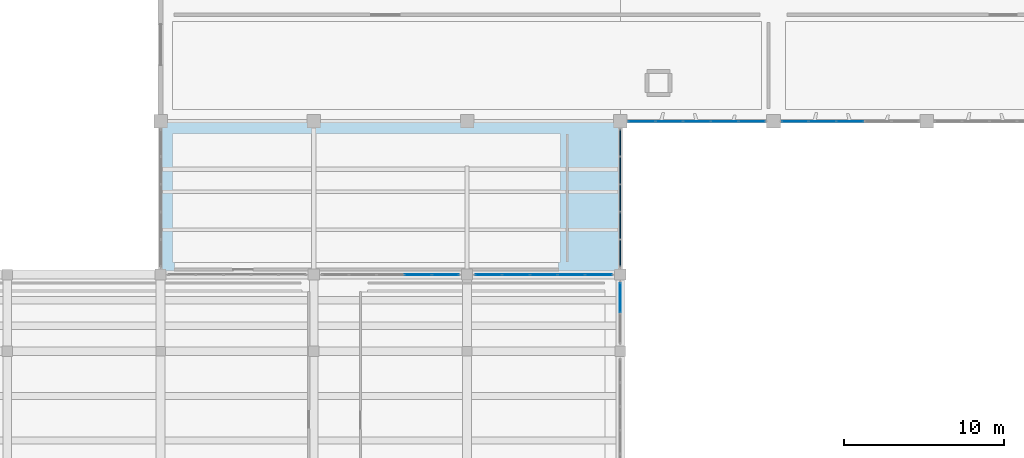
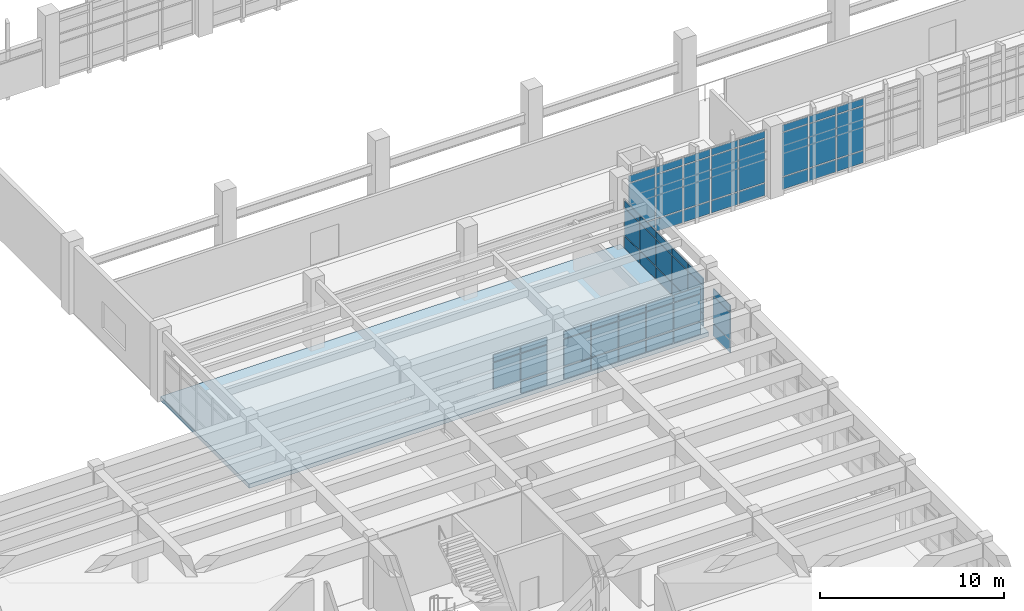
# One storey, part 50 of 86: 62 plates, 1 slab, 6 elements without a shape of their own.
"""IFC4 building model written with IfcOpenShell, lengths in metres."""

from ifc_helpers import new_model, si_unit, direction, frame, origin, origin_2d, place, context, subcontext, project, spatial, polyline, rectangle, outline, extrude, material, layer, layer_set, type_object, element, aggregate, save


model = new_model("IFC4")

# Units and contexts
model_context = context("Model", 3, precision=1e-05, world=origin(), true_north=direction((0.0, 1.0)))
body_context = subcontext(model_context, "Body", "Model", "MODEL_VIEW")
ifc_project = project(units=[si_unit("LENGTHUNIT", "METRE"), si_unit("AREAUNIT", "SQUARE_METRE"), si_unit("VOLUMEUNIT", "CUBIC_METRE"), si_unit("PLANEANGLEUNIT", "RADIAN"), si_unit("MASSUNIT", "GRAM", prefix="KILO")], contexts=[model_context])

# Site, building, storey
site_placement = place(None, origin())
site = spatial("IfcSite", under=ifc_project, at=site_placement, CompositionType="ELEMENT")
building_placement = place(site_placement, origin())
building = spatial("IfcBuilding", under=site, at=building_placement, Name="Kolvemor Railside Polytechnic", CompositionType="ELEMENT")
storey_placement = place(building_placement, frame((0.0, 0.0, 5.39990234375)))
storey = spatial("IfcBuildingStorey", under=building, at=storey_placement, Name="L01", CompositionType="ELEMENT", Elevation=5.39990234375)

# Curtain wall, plates
ifc_material_1 = material(Name="Anodised marine aluminium and laminated low-E glass", Category="aluminium")
ifc_layer_1 = layer(ifc_material_1, 0.179931640625, Name="CW-UNIT-WKS")
ifc_layer_set_1 = layer_set([ifc_layer_1], Name="Anodised marine aluminium and laminated low-E glass")
curtain_wall_type_1 = type_object("IfcCurtainWallType", Name="CW-UNIT-WKS", PredefinedType="USERDEFINED", material=ifc_layer_set_1)
curtain_wall_1_placement = place(storey_placement, origin())
curtain_wall_1 = element("IfcCurtainWall", 1, at=curtain_wall_1_placement, inside=storey, type_object=curtain_wall_type_1, Name="Curtain Wall L01-006", ObjectType="UNITISED CURTAIN WALL", PredefinedType="USERDEFINED")
ifc_material_2 = material(Name="Hurricane-laminated solar-control low-E glass", Category="glass")
ifc_layer_2 = layer(ifc_material_2, 0.030029296875, Name="CWP-GLZ-05")
ifc_layer_set_2 = layer_set([ifc_layer_2], Name="Hurricane-laminated solar-control low-E glass")
plate_type_1 = type_object("IfcPlateType", Name="CWP-GLZ-05", PredefinedType="CURTAIN_PANEL", material=ifc_layer_set_2)
plate_1_placement = place(storey_placement, frame((49.352294921875, 91.199951171875, 0.06494140625), z_axis=(0.0, 0.0, 1.0), x_axis=(1.0, 0.0, 0.0)))
plate_1 = element("IfcPlate", 2, at=plate_1_placement, type_object=plate_type_1, Name="CW-WKS panel 1.1", PredefinedType="CURTAIN_PANEL", context=body_context, shape_type="SweptSolid", body=[
    extrude(rectangle(XDim=1.634521484375, YDim=0.030029296875, at=origin_2d()), origin(), (0.0, 0.0, 1.0), 0.802490234375),
])
plate_2_placement = place(storey_placement, frame((49.352294921875, 91.199951171875, 0.9326171875), z_axis=(0.0, 0.0, 1.0), x_axis=(1.0, 0.0, 0.0)))
plate_2 = element("IfcPlate", 3, at=plate_2_placement, type_object=plate_type_1, Name="CW-WKS panel 1.2", PredefinedType="CURTAIN_PANEL", context=body_context, shape_type="SweptSolid", body=[
    extrude(rectangle(XDim=1.634521484375, YDim=0.030029296875, at=origin_2d()), origin(), (0.0, 0.0, 1.0), 2.885009765625),
])
plate_3_placement = place(storey_placement, frame((49.352294921875, 91.199951171875, 3.8828125), z_axis=(0.0, 0.0, 1.0), x_axis=(1.0, 0.0, 0.0)))
plate_3 = element("IfcPlate", 4, at=plate_3_placement, type_object=plate_type_1, Name="CW-WKS panel 1.3", PredefinedType="CURTAIN_PANEL", context=body_context, shape_type="SweptSolid", body=[
    extrude(rectangle(XDim=1.634521484375, YDim=0.030029296875, at=origin_2d()), origin(), (0.0, 0.0, 1.0), 0.452392578125),
])
plate_4_placement = place(storey_placement, frame((51.068115234375, 91.199951171875, 0.06494140625), z_axis=(0.0, 0.0, 1.0), x_axis=(1.0, 0.0, 0.0)))
plate_4 = element("IfcPlate", 5, at=plate_4_placement, type_object=plate_type_1, Name="CW-WKS panel 2.1", PredefinedType="CURTAIN_PANEL", context=body_context, shape_type="SweptSolid", body=[
    extrude(rectangle(XDim=1.6669921875, YDim=0.030029296875, at=origin_2d()), origin(), (0.0, 0.0, 1.0), 0.802490234375),
])
plate_5_placement = place(storey_placement, frame((51.068115234375, 91.199951171875, 0.9326171875), z_axis=(0.0, 0.0, 1.0), x_axis=(1.0, 0.0, 0.0)))
plate_5 = element("IfcPlate", 6, at=plate_5_placement, type_object=plate_type_1, Name="CW-WKS panel 2.2", PredefinedType="CURTAIN_PANEL", context=body_context, shape_type="SweptSolid", body=[
    extrude(rectangle(XDim=1.6669921875, YDim=0.030029296875, at=origin_2d()), origin(), (0.0, 0.0, 1.0), 2.885009765625),
])
plate_6_placement = place(storey_placement, frame((51.068115234375, 91.199951171875, 3.8828125), z_axis=(0.0, 0.0, 1.0), x_axis=(1.0, 0.0, 0.0)))
plate_6 = element("IfcPlate", 7, at=plate_6_placement, type_object=plate_type_1, Name="CW-WKS panel 2.3", PredefinedType="CURTAIN_PANEL", context=body_context, shape_type="SweptSolid", body=[
    extrude(rectangle(XDim=1.6669921875, YDim=0.030029296875, at=origin_2d()), origin(), (0.0, 0.0, 1.0), 0.452392578125),
])
plate_7_placement = place(storey_placement, frame((52.800048828125, 91.199951171875, 0.06494140625), z_axis=(0.0, 0.0, 1.0), x_axis=(1.0, 0.0, 0.0)))
plate_7 = element("IfcPlate", 8, at=plate_7_placement, type_object=plate_type_1, Name="CW-WKS panel 3.1", PredefinedType="CURTAIN_PANEL", context=body_context, shape_type="SweptSolid", body=[
    extrude(rectangle(XDim=1.6669921875, YDim=0.030029296875, at=origin_2d()), origin(), (0.0, 0.0, 1.0), 0.802490234375),
])
plate_8_placement = place(storey_placement, frame((52.800048828125, 91.199951171875, 0.9326171875), z_axis=(0.0, 0.0, 1.0), x_axis=(1.0, 0.0, 0.0)))
plate_8 = element("IfcPlate", 9, at=plate_8_placement, type_object=plate_type_1, Name="CW-WKS panel 3.2", PredefinedType="CURTAIN_PANEL", context=body_context, shape_type="SweptSolid", body=[
    extrude(rectangle(XDim=1.6669921875, YDim=0.030029296875, at=origin_2d()), origin(), (0.0, 0.0, 1.0), 2.885009765625),
])
plate_9_placement = place(storey_placement, frame((52.800048828125, 91.199951171875, 3.8828125), z_axis=(0.0, 0.0, 1.0), x_axis=(1.0, 0.0, 0.0)))
plate_9 = element("IfcPlate", 10, at=plate_9_placement, type_object=plate_type_1, Name="CW-WKS panel 3.3", PredefinedType="CURTAIN_PANEL", context=body_context, shape_type="SweptSolid", body=[
    extrude(rectangle(XDim=1.6669921875, YDim=0.030029296875, at=origin_2d()), origin(), (0.0, 0.0, 1.0), 0.452392578125),
])
plate_10_placement = place(storey_placement, frame((54.531982421875, 91.199951171875, 0.06494140625), z_axis=(0.0, 0.0, 1.0), x_axis=(1.0, 0.0, 0.0)))
plate_10 = element("IfcPlate", 11, at=plate_10_placement, type_object=plate_type_1, Name="CW-WKS panel 4.1", PredefinedType="CURTAIN_PANEL", context=body_context, shape_type="SweptSolid", body=[
    extrude(rectangle(XDim=1.6669921875, YDim=0.030029296875, at=origin_2d()), origin(), (0.0, 0.0, 1.0), 0.802490234375),
])
plate_11_placement = place(storey_placement, frame((54.531982421875, 91.199951171875, 0.9326171875), z_axis=(0.0, 0.0, 1.0), x_axis=(1.0, 0.0, 0.0)))
plate_11 = element("IfcPlate", 12, at=plate_11_placement, type_object=plate_type_1, Name="CW-WKS panel 4.2", PredefinedType="CURTAIN_PANEL", context=body_context, shape_type="SweptSolid", body=[
    extrude(rectangle(XDim=1.6669921875, YDim=0.030029296875, at=origin_2d()), origin(), (0.0, 0.0, 1.0), 2.885009765625),
])
plate_12_placement = place(storey_placement, frame((54.531982421875, 91.199951171875, 3.8828125), z_axis=(0.0, 0.0, 1.0), x_axis=(1.0, 0.0, 0.0)))
plate_12 = element("IfcPlate", 13, at=plate_12_placement, type_object=plate_type_1, Name="CW-WKS panel 4.3", PredefinedType="CURTAIN_PANEL", context=body_context, shape_type="SweptSolid", body=[
    extrude(rectangle(XDim=1.6669921875, YDim=0.030029296875, at=origin_2d()), origin(), (0.0, 0.0, 1.0), 0.452392578125),
])
plate_13_placement = place(storey_placement, frame((56.247802734375, 91.199951171875, 0.06494140625), z_axis=(0.0, 0.0, 1.0), x_axis=(1.0, 0.0, 0.0)))
plate_13 = element("IfcPlate", 14, at=plate_13_placement, type_object=plate_type_1, Name="CW-WKS panel 5.1", PredefinedType="CURTAIN_PANEL", context=body_context, shape_type="SweptSolid", body=[
    extrude(rectangle(XDim=1.634521484375, YDim=0.030029296875, at=origin_2d()), origin(), (0.0, 0.0, 1.0), 0.802490234375),
])
plate_14_placement = place(storey_placement, frame((56.247802734375, 91.199951171875, 0.9326171875), z_axis=(0.0, 0.0, 1.0), x_axis=(1.0, 0.0, 0.0)))
plate_14 = element("IfcPlate", 15, at=plate_14_placement, type_object=plate_type_1, Name="CW-WKS panel 5.2", PredefinedType="CURTAIN_PANEL", context=body_context, shape_type="SweptSolid", body=[
    extrude(rectangle(XDim=1.634521484375, YDim=0.030029296875, at=origin_2d()), origin(), (0.0, 0.0, 1.0), 2.885009765625),
])
plate_15_placement = place(storey_placement, frame((56.247802734375, 91.199951171875, 3.8828125), z_axis=(0.0, 0.0, 1.0), x_axis=(1.0, 0.0, 0.0)))
plate_15 = element("IfcPlate", 16, at=plate_15_placement, type_object=plate_type_1, Name="CW-WKS panel 5.3", PredefinedType="CURTAIN_PANEL", context=body_context, shape_type="SweptSolid", body=[
    extrude(rectangle(XDim=1.634521484375, YDim=0.030029296875, at=origin_2d()), origin(), (0.0, 0.0, 1.0), 0.452392578125),
])
aggregate(curtain_wall_1, [plate_1, plate_2, plate_3, plate_4, plate_5, plate_6, plate_7, plate_8, plate_9, plate_10, plate_11, plate_12, plate_13, plate_14, plate_15])

curtain_wall_2_placement = place(storey_placement, origin())
curtain_wall_2 = element("IfcCurtainWall", 17, at=curtain_wall_2_placement, inside=storey, type_object=curtain_wall_type_1, Name="Curtain Wall L01-009", ObjectType="UNITISED CURTAIN WALL", PredefinedType="USERDEFINED")
ifc_material_3 = material(Name="Hurricane-laminated solar-control low-E glass", Category="glass")
ifc_layer_3 = layer(ifc_material_3, 0.031982421875, Name="CWP-GLZ-06")
ifc_layer_set_3 = layer_set([ifc_layer_3], Name="Hurricane-laminated solar-control low-E glass")
plate_type_2 = type_object("IfcPlateType", Name="CWP-GLZ-06", PredefinedType="CURTAIN_PANEL", material=ifc_layer_set_3)
plate_16_placement = place(storey_placement, frame((58.9521484375, 91.199951171875, 0.06494140625), z_axis=(0.0, 0.0, 1.0), x_axis=(1.0, 0.0, 0.0)))
plate_16 = element("IfcPlate", 18, at=plate_16_placement, type_object=plate_type_2, Name="CW-WKS panel 1.1", PredefinedType="CURTAIN_PANEL", context=body_context, shape_type="SweptSolid", body=[
    extrude(rectangle(XDim=1.634521484375, YDim=0.031982421875, at=origin_2d()), origin(), (0.0, 0.0, 1.0), 0.802490234375),
])
plate_17_placement = place(storey_placement, frame((58.9521484375, 91.199951171875, 0.9326171875), z_axis=(0.0, 0.0, 1.0), x_axis=(1.0, 0.0, 0.0)))
plate_17 = element("IfcPlate", 19, at=plate_17_placement, type_object=plate_type_2, Name="CW-WKS panel 1.2", PredefinedType="CURTAIN_PANEL", context=body_context, shape_type="SweptSolid", body=[
    extrude(rectangle(XDim=1.634521484375, YDim=0.031982421875, at=origin_2d()), origin(), (0.0, 0.0, 1.0), 2.885009765625),
])
plate_18_placement = place(storey_placement, frame((58.9521484375, 91.199951171875, 3.8828125), z_axis=(0.0, 0.0, 1.0), x_axis=(1.0, 0.0, 0.0)))
plate_18 = element("IfcPlate", 20, at=plate_18_placement, type_object=plate_type_2, Name="CW-WKS panel 1.3", PredefinedType="CURTAIN_PANEL", context=body_context, shape_type="SweptSolid", body=[
    extrude(rectangle(XDim=1.634521484375, YDim=0.031982421875, at=origin_2d()), origin(), (0.0, 0.0, 1.0), 0.452392578125),
])
plate_19_placement = place(storey_placement, frame((60.66796875, 91.199951171875, 0.06494140625), z_axis=(0.0, 0.0, 1.0), x_axis=(1.0, 0.0, 0.0)))
plate_19 = element("IfcPlate", 21, at=plate_19_placement, type_object=plate_type_2, Name="CW-WKS panel 2.1", PredefinedType="CURTAIN_PANEL", context=body_context, shape_type="SweptSolid", body=[
    extrude(rectangle(XDim=1.6669921875, YDim=0.031982421875, at=origin_2d()), origin(), (0.0, 0.0, 1.0), 0.802490234375),
])
plate_20_placement = place(storey_placement, frame((60.66796875, 91.199951171875, 0.9326171875), z_axis=(0.0, 0.0, 1.0), x_axis=(1.0, 0.0, 0.0)))
plate_20 = element("IfcPlate", 22, at=plate_20_placement, type_object=plate_type_2, Name="CW-WKS panel 2.2", PredefinedType="CURTAIN_PANEL", context=body_context, shape_type="SweptSolid", body=[
    extrude(rectangle(XDim=1.6669921875, YDim=0.031982421875, at=origin_2d()), origin(), (0.0, 0.0, 1.0), 2.885009765625),
])
plate_21_placement = place(storey_placement, frame((60.66796875, 91.199951171875, 3.8828125), z_axis=(0.0, 0.0, 1.0), x_axis=(1.0, 0.0, 0.0)))
plate_21 = element("IfcPlate", 23, at=plate_21_placement, type_object=plate_type_2, Name="CW-WKS panel 2.3", PredefinedType="CURTAIN_PANEL", context=body_context, shape_type="SweptSolid", body=[
    extrude(rectangle(XDim=1.6669921875, YDim=0.031982421875, at=origin_2d()), origin(), (0.0, 0.0, 1.0), 0.452392578125),
])
plate_22_placement = place(storey_placement, frame((62.39990234375, 91.199951171875, 0.06494140625), z_axis=(0.0, 0.0, 1.0), x_axis=(1.0, 0.0, 0.0)))
plate_22 = element("IfcPlate", 24, at=plate_22_placement, type_object=plate_type_2, Name="CW-WKS panel 3.1", PredefinedType="CURTAIN_PANEL", context=body_context, shape_type="SweptSolid", body=[
    extrude(rectangle(XDim=1.6669921875, YDim=0.031982421875, at=origin_2d()), origin(), (0.0, 0.0, 1.0), 0.802490234375),
])
plate_23_placement = place(storey_placement, frame((62.39990234375, 91.199951171875, 0.9326171875), z_axis=(0.0, 0.0, 1.0), x_axis=(1.0, 0.0, 0.0)))
plate_23 = element("IfcPlate", 25, at=plate_23_placement, type_object=plate_type_2, Name="CW-WKS panel 3.2", PredefinedType="CURTAIN_PANEL", context=body_context, shape_type="SweptSolid", body=[
    extrude(rectangle(XDim=1.6669921875, YDim=0.031982421875, at=origin_2d()), origin(), (0.0, 0.0, 1.0), 2.885009765625),
])
plate_24_placement = place(storey_placement, frame((62.39990234375, 91.199951171875, 3.8828125), z_axis=(0.0, 0.0, 1.0), x_axis=(1.0, 0.0, 0.0)))
plate_24 = element("IfcPlate", 26, at=plate_24_placement, type_object=plate_type_2, Name="CW-WKS panel 3.3", PredefinedType="CURTAIN_PANEL", context=body_context, shape_type="SweptSolid", body=[
    extrude(rectangle(XDim=1.6669921875, YDim=0.031982421875, at=origin_2d()), origin(), (0.0, 0.0, 1.0), 0.452392578125),
])
aggregate(curtain_wall_2, [plate_16, plate_17, plate_18, plate_19, plate_20, plate_21, plate_22, plate_23, plate_24])

ifc_material_4 = material(Name="Anodised marine aluminium and laminated low-E glass", Category="aluminium")
ifc_layer_4 = layer(ifc_material_4, 0.179931640625, Name="CW-UNIT-STD")
ifc_layer_set_4 = layer_set([ifc_layer_4], Name="Anodised marine aluminium and laminated low-E glass")
curtain_wall_type_2 = type_object("IfcCurtainWallType", Name="CW-UNIT-STD", PredefinedType="USERDEFINED", material=ifc_layer_set_4)
curtain_wall_3_placement = place(storey_placement, origin())
curtain_wall_3 = element("IfcCurtainWall", 27, at=curtain_wall_3_placement, inside=storey, type_object=curtain_wall_type_2, Name="Curtain Wall L01-090", ObjectType="UNITISED CURTAIN WALL", PredefinedType="USERDEFINED")
ifc_material_5 = material(Name="Hurricane-laminated solar-control low-E glass", Category="glass")
ifc_layer_5 = layer(ifc_material_5, 0.0439453125, Name="CWP-GLZ-12")
ifc_layer_set_5 = layer_set([ifc_layer_5], Name="Hurricane-laminated solar-control low-E glass")
plate_type_3 = type_object("IfcPlateType", Name="CWP-GLZ-12", PredefinedType="CURTAIN_PANEL", material=ifc_layer_set_5)
plate_25_placement = place(storey_placement, frame((48.0, 80.148681640625, 0.06494140625), z_axis=(0.0, 0.0, 1.0), x_axis=(0.0, 1.0, 0.0)))
plate_25 = element("IfcPlate", 28, at=plate_25_placement, type_object=plate_type_3, Name="CW-STD panel 2.1", PredefinedType="CURTAIN_PANEL", context=body_context, shape_type="SweptSolid", body=[
    extrude(rectangle(XDim=1.83251953125, YDim=0.0439453125, at=origin_2d()), origin(), (0.0, 0.0, 1.0), 0.802490234375),
])
plate_26_placement = place(storey_placement, frame((48.0, 80.148681640625, 0.9326171875), z_axis=(0.0, 0.0, 1.0), x_axis=(0.0, 1.0, 0.0)))
plate_26 = element("IfcPlate", 29, at=plate_26_placement, type_object=plate_type_3, Name="CW-STD panel 2.2", PredefinedType="CURTAIN_PANEL", context=body_context, shape_type="SweptSolid", body=[
    extrude(rectangle(XDim=1.83251953125, YDim=0.0439453125, at=origin_2d()), origin(), (0.0, 0.0, 1.0), 1.764892578125),
])
plate_27_placement = place(storey_placement, frame((48.0, 80.148681640625, 2.7626953125), z_axis=(0.0, 0.0, 1.0), x_axis=(0.0, 1.0, 0.0)))
plate_27 = element("IfcPlate", 30, at=plate_27_placement, type_object=plate_type_3, Name="CW-STD panel 2.3", PredefinedType="CURTAIN_PANEL", context=body_context, shape_type="SweptSolid", body=[
    extrude(rectangle(XDim=1.83251953125, YDim=0.0439453125, at=origin_2d()), origin(), (0.0, 0.0, 1.0), 0.452392578125),
])
aggregate(curtain_wall_3, [plate_25, plate_26, plate_27])

curtain_wall_4_placement = place(storey_placement, origin())
curtain_wall_4 = element("IfcCurtainWall", 31, at=curtain_wall_4_placement, inside=storey, type_object=curtain_wall_type_2, Name="Curtain Wall L01-037", ObjectType="UNITISED CURTAIN WALL", PredefinedType="USERDEFINED")
ifc_material_6 = material(Name="Hurricane-laminated solar-control low-E glass", Category="glass")
ifc_layer_6 = layer(ifc_material_6, 0.0458984375, Name="CWP-GLZ-13")
ifc_layer_set_6 = layer_set([ifc_layer_6], Name="Hurricane-laminated solar-control low-E glass")
plate_type_4 = type_object("IfcPlateType", Name="CWP-GLZ-13", PredefinedType="CURTAIN_PANEL", material=ifc_layer_set_6)
plate_28_placement = place(storey_placement, frame((37.0478515625, 81.60009765625, 0.06494140625), z_axis=(0.0, 0.0, 1.0), x_axis=(-1.0, 0.0, 0.0)))
plate_28 = element("IfcPlate", 32, at=plate_28_placement, type_object=plate_type_4, Name="CW-STD panel 1.1", PredefinedType="CURTAIN_PANEL", context=body_context, shape_type="SweptSolid", body=[
    extrude(rectangle(XDim=1.634521484375, YDim=0.0458984375, at=origin_2d()), origin(), (0.0, 0.0, 1.0), 0.802490234375),
])
plate_29_placement = place(storey_placement, frame((37.0478515625, 81.60009765625, 0.9326171875), z_axis=(0.0, 0.0, 1.0), x_axis=(-1.0, 0.0, 0.0)))
plate_29 = element("IfcPlate", 33, at=plate_29_placement, type_object=plate_type_4, Name="CW-STD panel 1.2", PredefinedType="CURTAIN_PANEL", context=body_context, shape_type="SweptSolid", body=[
    extrude(rectangle(XDim=1.634521484375, YDim=0.0458984375, at=origin_2d()), origin(), (0.0, 0.0, 1.0), 1.764892578125),
])
plate_30_placement = place(storey_placement, frame((37.0478515625, 81.60009765625, 2.7626953125), z_axis=(0.0, 0.0, 1.0), x_axis=(-1.0, 0.0, 0.0)))
plate_30 = element("IfcPlate", 34, at=plate_30_placement, type_object=plate_type_4, Name="CW-STD panel 1.3", PredefinedType="CURTAIN_PANEL", context=body_context, shape_type="SweptSolid", body=[
    extrude(rectangle(XDim=1.634521484375, YDim=0.0458984375, at=origin_2d()), origin(), (0.0, 0.0, 1.0), 0.452392578125),
])
plate_31_placement = place(storey_placement, frame((35.33203125, 81.60009765625, 0.9326171875), z_axis=(0.0, 0.0, 1.0), x_axis=(-1.0, 0.0, 0.0)))
plate_31 = element("IfcPlate", 35, at=plate_31_placement, type_object=plate_type_4, Name="CW-STD panel 2.2", PredefinedType="CURTAIN_PANEL", context=body_context, shape_type="SweptSolid", body=[
    extrude(rectangle(XDim=1.6669921875, YDim=0.0458984375, at=origin_2d()), origin(), (0.0, 0.0, 1.0), 1.764892578125),
])
plate_32_placement = place(storey_placement, frame((35.33203125, 81.60009765625, 2.7626953125), z_axis=(0.0, 0.0, 1.0), x_axis=(-1.0, 0.0, 0.0)))
plate_32 = element("IfcPlate", 36, at=plate_32_placement, type_object=plate_type_4, Name="CW-STD panel 2.3", PredefinedType="CURTAIN_PANEL", context=body_context, shape_type="SweptSolid", body=[
    extrude(rectangle(XDim=1.6669921875, YDim=0.0458984375, at=origin_2d()), origin(), (0.0, 0.0, 1.0), 0.452392578125),
])
aggregate(curtain_wall_4, [plate_28, plate_29, plate_30, plate_31, plate_32])

curtain_wall_5_placement = place(storey_placement, origin())
curtain_wall_5 = element("IfcCurtainWall", 37, at=curtain_wall_5_placement, inside=storey, type_object=curtain_wall_type_2, Name="Curtain Wall L01-038", ObjectType="UNITISED CURTAIN WALL", PredefinedType="USERDEFINED")
ifc_material_7 = material(Name="Hurricane-laminated solar-control low-E glass", Category="glass")
ifc_layer_7 = layer(ifc_material_7, 0.048095703125, Name="CWP-GLZ-14")
ifc_layer_set_7 = layer_set([ifc_layer_7], Name="Hurricane-laminated solar-control low-E glass")
plate_type_5 = type_object("IfcPlateType", Name="CWP-GLZ-14", PredefinedType="CURTAIN_PANEL", material=ifc_layer_set_7)
plate_33_placement = place(storey_placement, frame((46.647705078125, 81.60009765625, 0.06494140625), z_axis=(0.0, 0.0, 1.0), x_axis=(-1.0, 0.0, 0.0)))
plate_33 = element("IfcPlate", 38, at=plate_33_placement, type_object=plate_type_5, Name="CW-STD panel 1.1", PredefinedType="CURTAIN_PANEL", context=body_context, shape_type="SweptSolid", body=[
    extrude(rectangle(XDim=1.634521484375, YDim=0.048095703125, at=origin_2d()), origin(), (0.0, 0.0, 1.0), 0.802490234375),
])
plate_34_placement = place(storey_placement, frame((46.647705078125, 81.60009765625, 0.9326171875), z_axis=(0.0, 0.0, 1.0), x_axis=(-1.0, 0.0, 0.0)))
plate_34 = element("IfcPlate", 39, at=plate_34_placement, type_object=plate_type_5, Name="CW-STD panel 1.2", PredefinedType="CURTAIN_PANEL", context=body_context, shape_type="SweptSolid", body=[
    extrude(rectangle(XDim=1.634521484375, YDim=0.048095703125, at=origin_2d()), origin(), (0.0, 0.0, 1.0), 1.764892578125),
])
plate_35_placement = place(storey_placement, frame((46.647705078125, 81.60009765625, 2.7626953125), z_axis=(0.0, 0.0, 1.0), x_axis=(-1.0, 0.0, 0.0)))
plate_35 = element("IfcPlate", 40, at=plate_35_placement, type_object=plate_type_5, Name="CW-STD panel 1.3", PredefinedType="CURTAIN_PANEL", context=body_context, shape_type="SweptSolid", body=[
    extrude(rectangle(XDim=1.634521484375, YDim=0.048095703125, at=origin_2d()), origin(), (0.0, 0.0, 1.0), 0.452392578125),
])
plate_36_placement = place(storey_placement, frame((44.931884765625, 81.60009765625, 0.06494140625), z_axis=(0.0, 0.0, 1.0), x_axis=(-1.0, 0.0, 0.0)))
plate_36 = element("IfcPlate", 41, at=plate_36_placement, type_object=plate_type_5, Name="CW-STD panel 2.1", PredefinedType="CURTAIN_PANEL", context=body_context, shape_type="SweptSolid", body=[
    extrude(rectangle(XDim=1.6669921875, YDim=0.048095703125, at=origin_2d()), origin(), (0.0, 0.0, 1.0), 0.802490234375),
])
plate_37_placement = place(storey_placement, frame((44.931884765625, 81.60009765625, 0.9326171875), z_axis=(0.0, 0.0, 1.0), x_axis=(-1.0, 0.0, 0.0)))
plate_37 = element("IfcPlate", 42, at=plate_37_placement, type_object=plate_type_5, Name="CW-STD panel 2.2", PredefinedType="CURTAIN_PANEL", context=body_context, shape_type="SweptSolid", body=[
    extrude(rectangle(XDim=1.6669921875, YDim=0.048095703125, at=origin_2d()), origin(), (0.0, 0.0, 1.0), 1.764892578125),
])
plate_38_placement = place(storey_placement, frame((44.931884765625, 81.60009765625, 2.7626953125), z_axis=(0.0, 0.0, 1.0), x_axis=(-1.0, 0.0, 0.0)))
plate_38 = element("IfcPlate", 43, at=plate_38_placement, type_object=plate_type_5, Name="CW-STD panel 2.3", PredefinedType="CURTAIN_PANEL", context=body_context, shape_type="SweptSolid", body=[
    extrude(rectangle(XDim=1.6669921875, YDim=0.048095703125, at=origin_2d()), origin(), (0.0, 0.0, 1.0), 0.452392578125),
])
plate_39_placement = place(storey_placement, frame((43.199951171875, 81.60009765625, 0.06494140625), z_axis=(0.0, 0.0, 1.0), x_axis=(-1.0, 0.0, 0.0)))
plate_39 = element("IfcPlate", 44, at=plate_39_placement, type_object=plate_type_5, Name="CW-STD panel 3.1", PredefinedType="CURTAIN_PANEL", context=body_context, shape_type="SweptSolid", body=[
    extrude(rectangle(XDim=1.6669921875, YDim=0.048095703125, at=origin_2d()), origin(), (0.0, 0.0, 1.0), 0.802490234375),
])
plate_40_placement = place(storey_placement, frame((43.199951171875, 81.60009765625, 0.9326171875), z_axis=(0.0, 0.0, 1.0), x_axis=(-1.0, 0.0, 0.0)))
plate_40 = element("IfcPlate", 45, at=plate_40_placement, type_object=plate_type_5, Name="CW-STD panel 3.2", PredefinedType="CURTAIN_PANEL", context=body_context, shape_type="SweptSolid", body=[
    extrude(rectangle(XDim=1.6669921875, YDim=0.048095703125, at=origin_2d()), origin(), (0.0, 0.0, 1.0), 1.764892578125),
])
plate_41_placement = place(storey_placement, frame((43.199951171875, 81.60009765625, 2.7626953125), z_axis=(0.0, 0.0, 1.0), x_axis=(-1.0, 0.0, 0.0)))
plate_41 = element("IfcPlate", 46, at=plate_41_placement, type_object=plate_type_5, Name="CW-STD panel 3.3", PredefinedType="CURTAIN_PANEL", context=body_context, shape_type="SweptSolid", body=[
    extrude(rectangle(XDim=1.6669921875, YDim=0.048095703125, at=origin_2d()), origin(), (0.0, 0.0, 1.0), 0.452392578125),
])
plate_42_placement = place(storey_placement, frame((41.468017578125, 81.60009765625, 0.06494140625), z_axis=(0.0, 0.0, 1.0), x_axis=(-1.0, 0.0, 0.0)))
plate_42 = element("IfcPlate", 47, at=plate_42_placement, type_object=plate_type_5, Name="CW-STD panel 4.1", PredefinedType="CURTAIN_PANEL", context=body_context, shape_type="SweptSolid", body=[
    extrude(rectangle(XDim=1.6669921875, YDim=0.048095703125, at=origin_2d()), origin(), (0.0, 0.0, 1.0), 0.802490234375),
])
plate_43_placement = place(storey_placement, frame((41.468017578125, 81.60009765625, 0.9326171875), z_axis=(0.0, 0.0, 1.0), x_axis=(-1.0, 0.0, 0.0)))
plate_43 = element("IfcPlate", 48, at=plate_43_placement, type_object=plate_type_5, Name="CW-STD panel 4.2", PredefinedType="CURTAIN_PANEL", context=body_context, shape_type="SweptSolid", body=[
    extrude(rectangle(XDim=1.6669921875, YDim=0.048095703125, at=origin_2d()), origin(), (0.0, 0.0, 1.0), 1.764892578125),
])
plate_44_placement = place(storey_placement, frame((41.468017578125, 81.60009765625, 2.7626953125), z_axis=(0.0, 0.0, 1.0), x_axis=(-1.0, 0.0, 0.0)))
plate_44 = element("IfcPlate", 49, at=plate_44_placement, type_object=plate_type_5, Name="CW-STD panel 4.3", PredefinedType="CURTAIN_PANEL", context=body_context, shape_type="SweptSolid", body=[
    extrude(rectangle(XDim=1.6669921875, YDim=0.048095703125, at=origin_2d()), origin(), (0.0, 0.0, 1.0), 0.452392578125),
])
plate_45_placement = place(storey_placement, frame((39.752197265625, 81.60009765625, 0.06494140625), z_axis=(0.0, 0.0, 1.0), x_axis=(-1.0, 0.0, 0.0)))
plate_45 = element("IfcPlate", 50, at=plate_45_placement, type_object=plate_type_5, Name="CW-STD panel 5.1", PredefinedType="CURTAIN_PANEL", context=body_context, shape_type="SweptSolid", body=[
    extrude(rectangle(XDim=1.634521484375, YDim=0.048095703125, at=origin_2d()), origin(), (0.0, 0.0, 1.0), 0.802490234375),
])
plate_46_placement = place(storey_placement, frame((39.752197265625, 81.60009765625, 0.9326171875), z_axis=(0.0, 0.0, 1.0), x_axis=(-1.0, 0.0, 0.0)))
plate_46 = element("IfcPlate", 51, at=plate_46_placement, type_object=plate_type_5, Name="CW-STD panel 5.2", PredefinedType="CURTAIN_PANEL", context=body_context, shape_type="SweptSolid", body=[
    extrude(rectangle(XDim=1.634521484375, YDim=0.048095703125, at=origin_2d()), origin(), (0.0, 0.0, 1.0), 1.764892578125),
])
plate_47_placement = place(storey_placement, frame((39.752197265625, 81.60009765625, 2.7626953125), z_axis=(0.0, 0.0, 1.0), x_axis=(-1.0, 0.0, 0.0)))
plate_47 = element("IfcPlate", 52, at=plate_47_placement, type_object=plate_type_5, Name="CW-STD panel 5.3", PredefinedType="CURTAIN_PANEL", context=body_context, shape_type="SweptSolid", body=[
    extrude(rectangle(XDim=1.634521484375, YDim=0.048095703125, at=origin_2d()), origin(), (0.0, 0.0, 1.0), 0.452392578125),
])
aggregate(curtain_wall_5, [plate_33, plate_34, plate_35, plate_36, plate_37, plate_38, plate_39, plate_40, plate_41, plate_42, plate_43, plate_44, plate_45, plate_46, plate_47])

curtain_wall_6_placement = place(storey_placement, origin())
curtain_wall_6 = element("IfcCurtainWall", 53, at=curtain_wall_6_placement, inside=storey, type_object=curtain_wall_type_2, Name="Curtain Wall L01-044", ObjectType="UNITISED CURTAIN WALL", PredefinedType="USERDEFINED")
ifc_material_8 = material(Name="Hurricane-laminated solar-control low-E glass", Category="glass")
ifc_layer_8 = layer(ifc_material_8, 0.06591796875, Name="CWP-GLZ-23")
ifc_layer_set_8 = layer_set([ifc_layer_8], Name="Hurricane-laminated solar-control low-E glass")
plate_type_6 = type_object("IfcPlateType", Name="CWP-GLZ-23", PredefinedType="CURTAIN_PANEL", material=ifc_layer_set_8)
plate_48_placement = place(storey_placement, frame((48.0, 82.9521484375, 0.06494140625), z_axis=(0.0, 0.0, 1.0), x_axis=(0.0, 1.0, 0.0)))
plate_48 = element("IfcPlate", 54, at=plate_48_placement, type_object=plate_type_6, Name="CW-STD panel 1.1", PredefinedType="CURTAIN_PANEL", context=body_context, shape_type="SweptSolid", body=[
    extrude(rectangle(XDim=1.634521484375, YDim=0.06591796875, at=origin_2d()), origin(), (0.0, 0.0, 1.0), 0.802490234375),
])
plate_49_placement = place(storey_placement, frame((48.0, 82.9521484375, 0.9326171875), z_axis=(0.0, 0.0, 1.0), x_axis=(0.0, 1.0, 0.0)))
plate_49 = element("IfcPlate", 55, at=plate_49_placement, type_object=plate_type_6, Name="CW-STD panel 1.2", PredefinedType="CURTAIN_PANEL", context=body_context, shape_type="SweptSolid", body=[
    extrude(rectangle(XDim=1.634521484375, YDim=0.06591796875, at=origin_2d()), origin(), (0.0, 0.0, 1.0), 1.764892578125),
])
plate_50_placement = place(storey_placement, frame((48.0, 82.9521484375, 2.7626953125), z_axis=(0.0, 0.0, 1.0), x_axis=(0.0, 1.0, 0.0)))
plate_50 = element("IfcPlate", 56, at=plate_50_placement, type_object=plate_type_6, Name="CW-STD panel 1.3", PredefinedType="CURTAIN_PANEL", context=body_context, shape_type="SweptSolid", body=[
    extrude(rectangle(XDim=1.634521484375, YDim=0.06591796875, at=origin_2d()), origin(), (0.0, 0.0, 1.0), 0.452392578125),
])
plate_51_placement = place(storey_placement, frame((48.0, 84.66796875, 0.06494140625), z_axis=(0.0, 0.0, 1.0), x_axis=(0.0, 1.0, 0.0)))
plate_51 = element("IfcPlate", 57, at=plate_51_placement, type_object=plate_type_6, Name="CW-STD panel 2.1", PredefinedType="CURTAIN_PANEL", context=body_context, shape_type="SweptSolid", body=[
    extrude(rectangle(XDim=1.6669921875, YDim=0.06591796875, at=origin_2d()), origin(), (0.0, 0.0, 1.0), 0.802490234375),
])
plate_52_placement = place(storey_placement, frame((48.0, 84.66796875, 0.9326171875), z_axis=(0.0, 0.0, 1.0), x_axis=(0.0, 1.0, 0.0)))
plate_52 = element("IfcPlate", 58, at=plate_52_placement, type_object=plate_type_6, Name="CW-STD panel 2.2", PredefinedType="CURTAIN_PANEL", context=body_context, shape_type="SweptSolid", body=[
    extrude(rectangle(XDim=1.6669921875, YDim=0.06591796875, at=origin_2d()), origin(), (0.0, 0.0, 1.0), 1.764892578125),
])
plate_53_placement = place(storey_placement, frame((48.0, 84.66796875, 2.7626953125), z_axis=(0.0, 0.0, 1.0), x_axis=(0.0, 1.0, 0.0)))
plate_53 = element("IfcPlate", 59, at=plate_53_placement, type_object=plate_type_6, Name="CW-STD panel 2.3", PredefinedType="CURTAIN_PANEL", context=body_context, shape_type="SweptSolid", body=[
    extrude(rectangle(XDim=1.6669921875, YDim=0.06591796875, at=origin_2d()), origin(), (0.0, 0.0, 1.0), 0.452392578125),
])
plate_54_placement = place(storey_placement, frame((48.0, 86.39990234375, 0.06494140625), z_axis=(0.0, 0.0, 1.0), x_axis=(0.0, 1.0, 0.0)))
plate_54 = element("IfcPlate", 60, at=plate_54_placement, type_object=plate_type_6, Name="CW-STD panel 3.1", PredefinedType="CURTAIN_PANEL", context=body_context, shape_type="SweptSolid", body=[
    extrude(rectangle(XDim=1.6669921875, YDim=0.06591796875, at=origin_2d()), origin(), (0.0, 0.0, 1.0), 0.802490234375),
])
plate_55_placement = place(storey_placement, frame((48.0, 86.39990234375, 0.9326171875), z_axis=(0.0, 0.0, 1.0), x_axis=(0.0, 1.0, 0.0)))
plate_55 = element("IfcPlate", 61, at=plate_55_placement, type_object=plate_type_6, Name="CW-STD panel 3.2", PredefinedType="CURTAIN_PANEL", context=body_context, shape_type="SweptSolid", body=[
    extrude(rectangle(XDim=1.6669921875, YDim=0.06591796875, at=origin_2d()), origin(), (0.0, 0.0, 1.0), 1.764892578125),
])
plate_56_placement = place(storey_placement, frame((48.0, 86.39990234375, 2.7626953125), z_axis=(0.0, 0.0, 1.0), x_axis=(0.0, 1.0, 0.0)))
plate_56 = element("IfcPlate", 62, at=plate_56_placement, type_object=plate_type_6, Name="CW-STD panel 3.3", PredefinedType="CURTAIN_PANEL", context=body_context, shape_type="SweptSolid", body=[
    extrude(rectangle(XDim=1.6669921875, YDim=0.06591796875, at=origin_2d()), origin(), (0.0, 0.0, 1.0), 0.452392578125),
])
plate_57_placement = place(storey_placement, frame((48.0, 88.132080078125, 0.06494140625), z_axis=(0.0, 0.0, 1.0), x_axis=(0.0, 1.0, 0.0)))
plate_57 = element("IfcPlate", 63, at=plate_57_placement, type_object=plate_type_6, Name="CW-STD panel 4.1", PredefinedType="CURTAIN_PANEL", context=body_context, shape_type="SweptSolid", body=[
    extrude(rectangle(XDim=1.6669921875, YDim=0.06591796875, at=origin_2d()), origin(), (0.0, 0.0, 1.0), 0.802490234375),
])
plate_58_placement = place(storey_placement, frame((48.0, 88.132080078125, 0.9326171875), z_axis=(0.0, 0.0, 1.0), x_axis=(0.0, 1.0, 0.0)))
plate_58 = element("IfcPlate", 64, at=plate_58_placement, type_object=plate_type_6, Name="CW-STD panel 4.2", PredefinedType="CURTAIN_PANEL", context=body_context, shape_type="SweptSolid", body=[
    extrude(rectangle(XDim=1.6669921875, YDim=0.06591796875, at=origin_2d()), origin(), (0.0, 0.0, 1.0), 1.764892578125),
])
plate_59_placement = place(storey_placement, frame((48.0, 88.132080078125, 2.7626953125), z_axis=(0.0, 0.0, 1.0), x_axis=(0.0, 1.0, 0.0)))
plate_59 = element("IfcPlate", 65, at=plate_59_placement, type_object=plate_type_6, Name="CW-STD panel 4.3", PredefinedType="CURTAIN_PANEL", context=body_context, shape_type="SweptSolid", body=[
    extrude(rectangle(XDim=1.6669921875, YDim=0.06591796875, at=origin_2d()), origin(), (0.0, 0.0, 1.0), 0.452392578125),
])
plate_60_placement = place(storey_placement, frame((48.0, 89.84765625, 0.06494140625), z_axis=(0.0, 0.0, 1.0), x_axis=(0.0, 1.0, 0.0)))
plate_60 = element("IfcPlate", 66, at=plate_60_placement, type_object=plate_type_6, Name="CW-STD panel 5.1", PredefinedType="CURTAIN_PANEL", context=body_context, shape_type="SweptSolid", body=[
    extrude(rectangle(XDim=1.634521484375, YDim=0.06591796875, at=origin_2d()), origin(), (0.0, 0.0, 1.0), 0.802490234375),
])
plate_61_placement = place(storey_placement, frame((48.0, 89.84765625, 0.9326171875), z_axis=(0.0, 0.0, 1.0), x_axis=(0.0, 1.0, 0.0)))
plate_61 = element("IfcPlate", 67, at=plate_61_placement, type_object=plate_type_6, Name="CW-STD panel 5.2", PredefinedType="CURTAIN_PANEL", context=body_context, shape_type="SweptSolid", body=[
    extrude(rectangle(XDim=1.634521484375, YDim=0.06591796875, at=origin_2d()), origin(), (0.0, 0.0, 1.0), 1.764892578125),
])
plate_62_placement = place(storey_placement, frame((48.0, 89.84765625, 2.7626953125), z_axis=(0.0, 0.0, 1.0), x_axis=(0.0, 1.0, 0.0)))
plate_62 = element("IfcPlate", 68, at=plate_62_placement, type_object=plate_type_6, Name="CW-STD panel 5.3", PredefinedType="CURTAIN_PANEL", context=body_context, shape_type="SweptSolid", body=[
    extrude(rectangle(XDim=1.634521484375, YDim=0.06591796875, at=origin_2d()), origin(), (0.0, 0.0, 1.0), 0.452392578125),
])
aggregate(curtain_wall_6, [plate_48, plate_49, plate_50, plate_51, plate_52, plate_53, plate_54, plate_55, plate_56, plate_57, plate_58, plate_59, plate_60, plate_61, plate_62])

# Slab
ifc_material_9 = material(Name="Concrete C40/50", Category="concrete")
ifc_layer_9 = layer(ifc_material_9, 0.280029296875, Name="SLB-POD-L01")
ifc_layer_set_9 = layer_set([ifc_layer_9], Name="Concrete C40/50")
slab_type = type_object("IfcSlabType", Name="SLB-POD-L01", PredefinedType="FLOOR", material=ifc_layer_set_9)
slab_placement = place(storey_placement, frame((0.0, 0.0, -0.27978515625)))
element("IfcSlab", 69, at=slab_placement, inside=storey, type_object=slab_type, Name="West Link L01 Slab L01-43", PredefinedType="FLOOR", context=body_context, shape_type="SweptSolid", body=[
    extrude(outline(polyline([(19.199951171875, 81.60009765625), (48.0, 81.60009765625), (48.0, 91.199951171875), (19.199951171875, 91.199951171875), (19.199951171875, 81.60009765625)])), origin(), (0.0, 0.0, 1.0), 0.27978515625),
])

save(model, "model.ifc")
